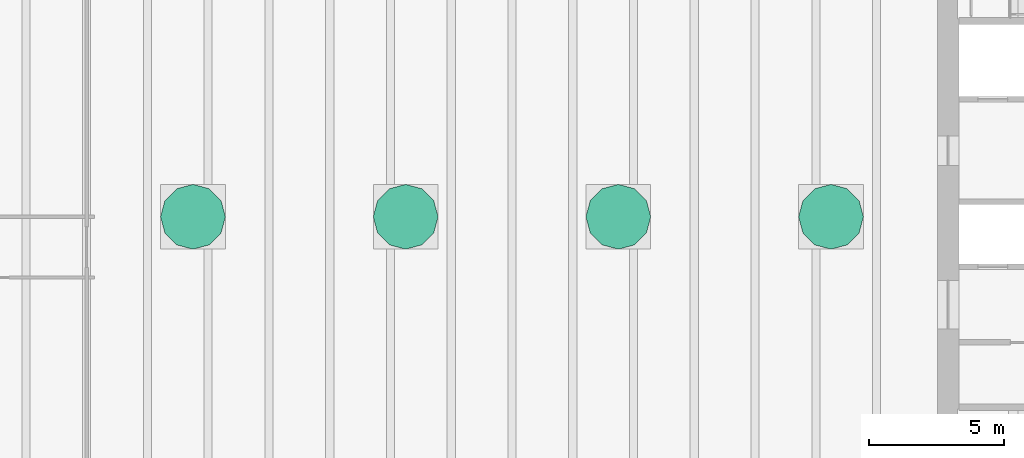
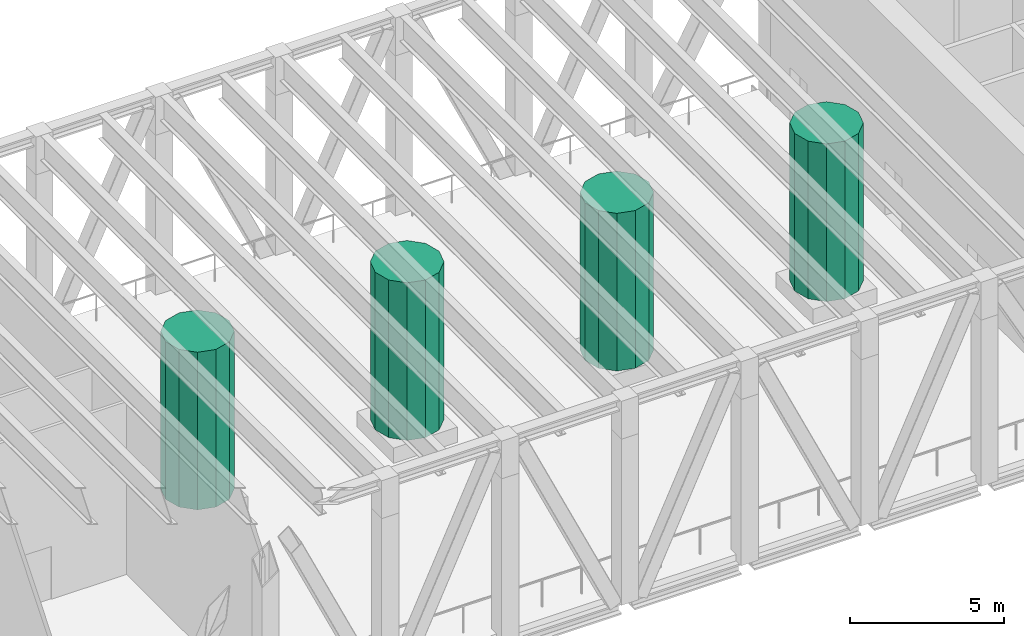
# One storey, part 10 of 11: 4 electric generators.
"""IFC4 building model written with IfcOpenShell, lengths in metres."""

from ifc_helpers import new_model, si_unit, direction, frame, origin, place, context, subcontext, project, spatial, polyline, outline, extrude, material, type_object, element, save


model = new_model("IFC4")

# Units and contexts
model_context = context("Model", 3, precision=1e-05, world=origin(), true_north=direction((0.0, 1.0)))
body_context = subcontext(model_context, "Body", "Model", "MODEL_VIEW")
ifc_project = project(units=[si_unit("LENGTHUNIT", "METRE"), si_unit("AREAUNIT", "SQUARE_METRE"), si_unit("VOLUMEUNIT", "CUBIC_METRE"), si_unit("PLANEANGLEUNIT", "RADIAN"), si_unit("MASSUNIT", "GRAM", prefix="KILO")], contexts=[model_context])

# Site, building, storey
site_placement = place(None, origin())
site = spatial("IfcSite", under=ifc_project, at=site_placement, CompositionType="ELEMENT")
building_placement = place(site_placement, origin())
building = spatial("IfcBuilding", under=site, at=building_placement, Name="Sennacour Bend Tower", CompositionType="ELEMENT")
storey_placement = place(building_placement, frame((0.0, 0.0, 297.0)))
storey = spatial("IfcBuildingStorey", under=building, at=storey_placement, Name="L69", CompositionType="ELEMENT", Elevation=297.0)

# Electric generators
ifc_material = material(Name="Steel S355", Category="steel")
electric_generator_type = type_object("IfcElectricGeneratorType", Name="VERTICAL-AXIS WIND TURBINE", PredefinedType="NOTDEFINED", material=ifc_material)
electric_generator_1_placement = place(storey_placement, frame((0.0, 0.0, 0.60009765625)))
element("IfcElectricGenerator", 1, at=electric_generator_1_placement, inside=storey, type_object=electric_generator_type, Name="Vertical-axis wind turbine", PredefinedType="NOTDEFINED", context=body_context, shape_type="SweptSolid", body=[
    extrude(outline(polyline([(27.637451171875, 11.25), (27.476806640625, 11.85009765625), (27.03759765625, 12.289306640625), (26.4375, 12.449951171875), (25.83740234375, 12.289306640625), (25.398193359375, 11.85009765625), (25.237548828125, 11.25), (25.398193359375, 10.64990234375), (25.83740234375, 10.210693359375), (26.4375, 10.050048828125), (27.03759765625, 10.210693359375), (27.476806640625, 10.64990234375), (27.637451171875, 11.25)])), origin(), (0.0, 0.0, 1.0), 6.2587890625),
])
electric_generator_2_placement = place(storey_placement, frame((0.0, 0.0, 0.60009765625)))
element("IfcElectricGenerator", 2, at=electric_generator_2_placement, inside=storey, type_object=electric_generator_type, Name="Vertical-axis wind turbine", PredefinedType="NOTDEFINED", context=body_context, shape_type="SweptSolid", body=[
    extrude(outline(polyline([(35.512451171875, 11.25), (35.351806640625, 11.85009765625), (34.91259765625, 12.289306640625), (34.3125, 12.449951171875), (33.71240234375, 12.289306640625), (33.273193359375, 11.85009765625), (33.112548828125, 11.25), (33.273193359375, 10.64990234375), (33.71240234375, 10.210693359375), (34.3125, 10.050048828125), (34.91259765625, 10.210693359375), (35.351806640625, 10.64990234375), (35.512451171875, 11.25)])), origin(), (0.0, 0.0, 1.0), 6.2587890625),
])
electric_generator_3_placement = place(storey_placement, frame((0.0, 0.0, 0.60009765625)))
element("IfcElectricGenerator", 3, at=electric_generator_3_placement, inside=storey, type_object=electric_generator_type, Name="Vertical-axis wind turbine", PredefinedType="NOTDEFINED", context=body_context, shape_type="SweptSolid", body=[
    extrude(outline(polyline([(43.387451171875, 11.25), (43.226806640625, 11.85009765625), (42.78759765625, 12.289306640625), (42.1875, 12.449951171875), (41.58740234375, 12.289306640625), (41.148193359375, 11.85009765625), (40.987548828125, 11.25), (41.148193359375, 10.64990234375), (41.58740234375, 10.210693359375), (42.1875, 10.050048828125), (42.78759765625, 10.210693359375), (43.226806640625, 10.64990234375), (43.387451171875, 11.25)])), origin(), (0.0, 0.0, 1.0), 6.2587890625),
])
electric_generator_4_placement = place(storey_placement, frame((0.0, 0.0, 0.60009765625)))
element("IfcElectricGenerator", 4, at=electric_generator_4_placement, inside=storey, type_object=electric_generator_type, Name="Vertical-axis wind turbine", PredefinedType="NOTDEFINED", context=body_context, shape_type="SweptSolid", body=[
    extrude(outline(polyline([(51.262451171875, 11.25), (51.101806640625, 11.85009765625), (50.66259765625, 12.289306640625), (50.0625, 12.449951171875), (49.46240234375, 12.289306640625), (49.023193359375, 11.85009765625), (48.862548828125, 11.25), (49.023193359375, 10.64990234375), (49.46240234375, 10.210693359375), (50.0625, 10.050048828125), (50.66259765625, 10.210693359375), (51.101806640625, 10.64990234375), (51.262451171875, 11.25)])), origin(), (0.0, 0.0, 1.0), 6.2587890625),
])

save(model, "model.ifc")
